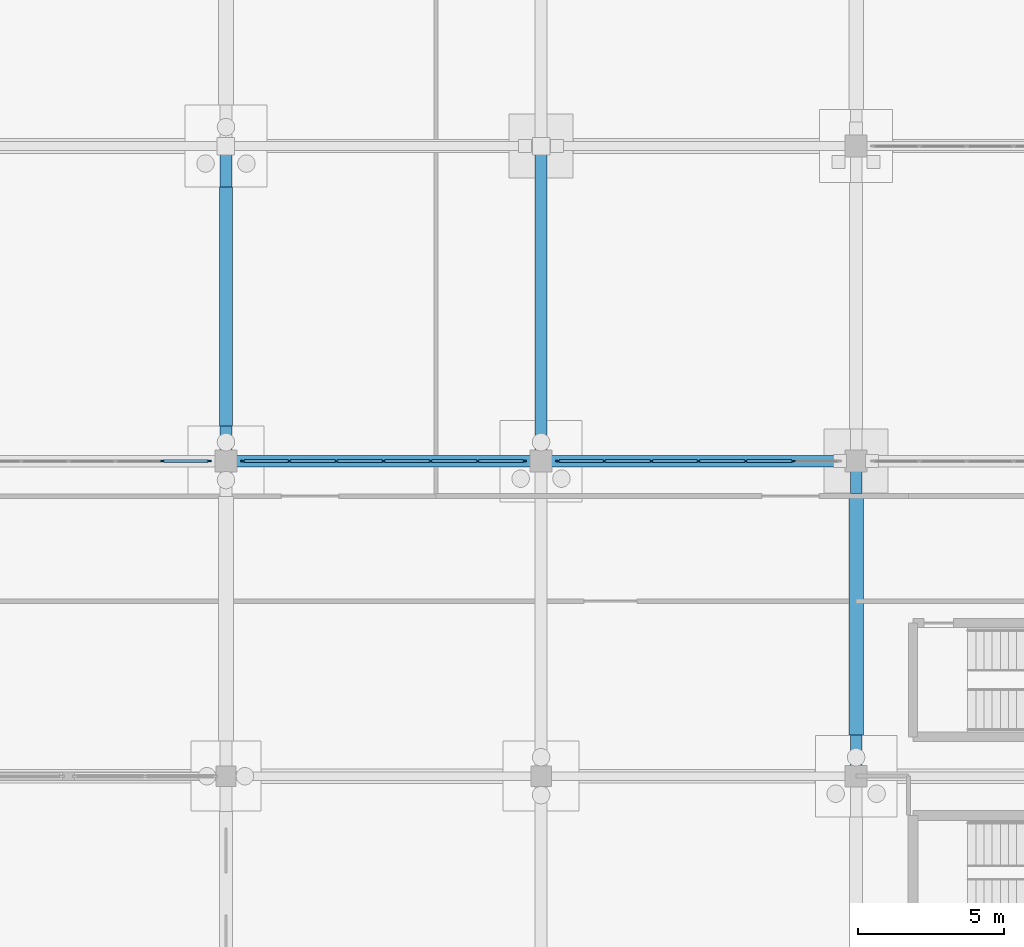
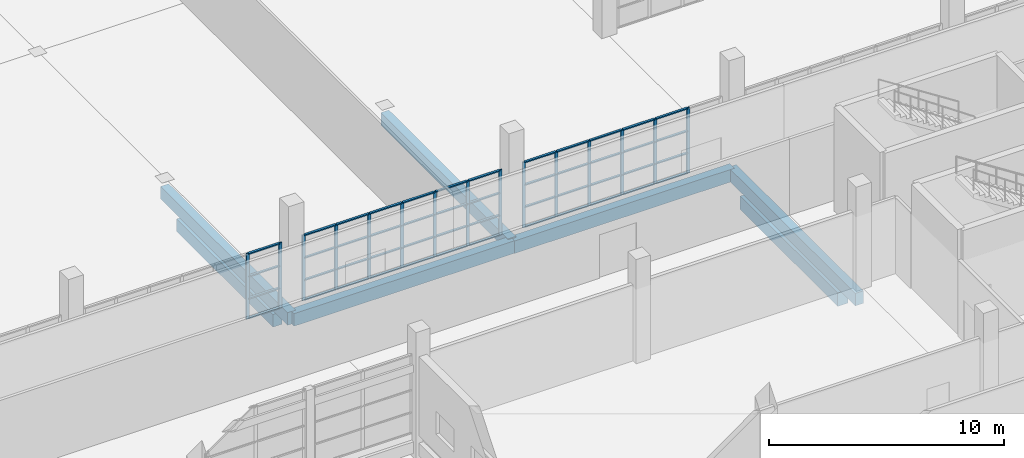
# One storey, part 63 of 138: 63 members, 7 beams, 3 elements without a shape of their own.
"""IFC4 building model written with IfcOpenShell, lengths in metres."""

from ifc_helpers import new_model, si_unit, direction, frame, origin, origin_2d, place, context, subcontext, project, spatial, rectangle, extrude, material, material_profile, profile_set, type_object, element, aggregate, save


model = new_model("IFC4")

# Units and contexts
model_context = context("Model", 3, precision=1e-05, world=origin(), true_north=direction((0.0, 1.0)))
body_context = subcontext(model_context, "Body", "Model", "MODEL_VIEW")
ifc_project = project(units=[si_unit("LENGTHUNIT", "METRE"), si_unit("AREAUNIT", "SQUARE_METRE"), si_unit("VOLUMEUNIT", "CUBIC_METRE"), si_unit("PLANEANGLEUNIT", "RADIAN"), si_unit("MASSUNIT", "GRAM", prefix="KILO")], contexts=[model_context])

# Site, building, storey
site_placement = place(None, origin())
site = spatial("IfcSite", under=ifc_project, at=site_placement, CompositionType="ELEMENT")
building_placement = place(site_placement, origin())
building = spatial("IfcBuilding", under=site, at=building_placement, Name="Zwinboog Wholesale Market", CompositionType="ELEMENT")
storey_placement = place(building_placement, origin())
storey = spatial("IfcBuildingStorey", under=building, at=storey_placement, Name="L00", CompositionType="ELEMENT", Elevation=0.0)

# Beams
ifc_material_1 = material(Name="Precast concrete C45/55", Category="concrete")
ifc_material_profile_1 = material_profile(ifc_material_1, rectangle(XDim=0.39990234375, YDim=0.64990234375, at=origin_2d()), Name="PC 400x650")
ifc_profile_set_1 = profile_set([ifc_material_profile_1], Name="Precast concrete C45/55")
beam_type_1 = type_object("IfcBeamType", Name="BT-05", PredefinedType="BEAM", material=ifc_profile_set_1)
beam_1_placement = place(storey_placement, frame((129.60009765625, 54.0, -0.705078125), z_axis=(1.0, 0.0, 0.0), x_axis=(0.0, 1.0, 0.0)))
element("IfcBeam", 1, at=beam_1_placement, inside=storey, type_object=beam_type_1, Name="BG-05 (BMG-L00-1296-0540-0079)", PredefinedType="BEAM", context=body_context, shape_type="SweptSolid", body=[
    extrude(rectangle(XDim=0.39990234375, YDim=0.64990234375, at=origin_2d()), origin(), (0.0, 0.0, 1.0), 10.7998046875),
])
for number, where, z_axis, x_axis, name in (
    (2, (140.39990234375, 54.0, -0.719970703125), (1.0, 0.0, 0.0), (0.0, 1.0, 0.0), "BG-05 (BMG-L00-1404-0540-0080)"),
    (3, (129.60009765625, 54.0, -0.705078125), (0.0, 1.0, 0.0), (-1.0, 0.0, 0.0), "BG-05 (BMG-L00-1296-0540-0334)"),
    (4, (140.39990234375, 54.0, -0.659912109375), (0.0, 1.0, 0.0), (-1.0, 0.0, 0.0), "BG-05 (BMG-L00-1404-0540-0346)"),
    (5, (151.199951171875, 43.199951171875, -0.719970703125), (0.0, 1.0, 0.0), (-1.0, 0.0, 0.0), "BG-05 (BMG-L00-1512-0432-0357)"),
):
    element("IfcBeam", number, at=place(storey_placement, frame(where, z_axis=z_axis, x_axis=x_axis)), inside=storey, type_object=beam_type_1, Name=name, PredefinedType="BEAM", context=body_context, shape_type="SweptSolid", body=[
        extrude(rectangle(XDim=0.39990234375, YDim=0.64990234375, at=origin_2d()), origin(), (0.0, 0.0, 1.0), 10.800048828125),
    ])
ifc_material_2 = material(Name="Concrete C35/45", Category="concrete")
ifc_material_profile_2 = material_profile(ifc_material_2, rectangle(XDim=0.5, YDim=0.699951171875, at=origin_2d()), Name="RC 500x700")
ifc_profile_set_2 = profile_set([ifc_material_profile_2], Name="Concrete C35/45")
beam_type_2 = type_object("IfcBeamType", Name="BT-12", PredefinedType="USERDEFINED", material=ifc_profile_set_2)
beam_2_placement = place(storey_placement, frame((151.199951171875, 44.60498046875, -1.550048828125), z_axis=(0.0, 1.0, 0.0), x_axis=(-1.0, 0.0, 0.0)))
element("IfcBeam", 6, at=beam_2_placement, inside=storey, type_object=beam_type_2, Name="GB-01 (BM-GB-0188)", ObjectType="GROUND_BEAM", PredefinedType="USERDEFINED", context=body_context, shape_type="SweptSolid", body=[
    extrude(rectangle(XDim=0.5, YDim=0.699951171875, at=origin_2d()), origin(), (0.0, 0.0, 1.0), 8.2900390625),
])
ifc_material_profile_3 = material_profile(ifc_material_2, rectangle(XDim=0.449951171875, YDim=0.64990234375, at=origin_2d()), Name="RC 450x650")
ifc_profile_set_3 = profile_set([ifc_material_profile_3], Name="Concrete C35/45")
beam_type_3 = type_object("IfcBeamType", Name="BT-13", PredefinedType="USERDEFINED", material=ifc_profile_set_3)
beam_3_placement = place(storey_placement, frame((129.60009765625, 55.205078125, -1.52490234375), z_axis=(0.0, 1.0, 0.0), x_axis=(-1.0, 0.0, 0.0)))
element("IfcBeam", 7, at=beam_3_placement, inside=storey, type_object=beam_type_3, Name="GB-02 (BM-GB-0177)", ObjectType="GROUND_BEAM", PredefinedType="USERDEFINED", context=body_context, shape_type="SweptSolid", body=[
    extrude(rectangle(XDim=0.449951171875, YDim=0.64990234375, at=origin_2d()), origin(), (0.0, 0.0, 1.0), 8.18994140625),
])

# Curtain wall, members
ifc_material_3 = material(Name="Aluminium thermally broken curtain wall", Category="aluminium")
curtain_wall_type = type_object("IfcCurtainWallType", Name="CWT-INT-STALL", PredefinedType="USERDEFINED", material=ifc_material_3)
curtain_wall_1_placement = place(storey_placement, origin())
curtain_wall_1 = element("IfcCurtainWall", 8, at=curtain_wall_1_placement, inside=storey, type_object=curtain_wall_type, Name="CW-07 (CW-STL-186)", ObjectType="STOREFRONT_GLAZING", PredefinedType="USERDEFINED")
ifc_material_4 = material(Name="Aluminium EN AW-6060", Category="aluminium")
ifc_material_profile_4 = material_profile(ifc_material_4, rectangle(XDim=0.06005859375, YDim=0.14990234375, at=origin_2d()), Name="AL 60x150")
ifc_profile_set_4 = profile_set([ifc_material_profile_4], Name="Aluminium EN AW-6060")
member_type_1 = type_object("IfcMemberType", Name="CWM-INT-60x120", PredefinedType="MULLION", material=ifc_profile_set_4)
member_1_placement = place(storey_placement, frame((127.433349609375, 54.0, 0.0), z_axis=(0.0, 0.0, 1.0), x_axis=(0.0, 1.0, 0.0)))
member_1 = element("IfcMember", 9, at=member_1_placement, type_object=member_type_1, Name="CW-07 mullion 6", PredefinedType="MULLION", context=body_context, shape_type="SweptSolid", body=[
    extrude(rectangle(XDim=0.06005859375, YDim=0.14990234375, at=origin_2d()), origin(), (0.0, 0.0, 1.0), 3.39990234375),
])
member_2_placement = place(storey_placement, frame((129.02001953125, 54.0, 0.0), z_axis=(0.0, 0.0, 1.0), x_axis=(0.0, 1.0, 0.0)))
member_2 = element("IfcMember", 10, at=member_2_placement, type_object=member_type_1, Name="CW-07 mullion 7", PredefinedType="MULLION", context=body_context, shape_type="SweptSolid", body=[
    extrude(rectangle(XDim=0.06005859375, YDim=0.14990234375, at=origin_2d()), origin(), (0.0, 0.0, 1.0), 3.39990234375),
])

curtain_wall_2_placement = place(storey_placement, origin())
curtain_wall_2 = element("IfcCurtainWall", 11, at=curtain_wall_2_placement, inside=storey, type_object=curtain_wall_type, Name="CW-07 (CW-STL-187)", ObjectType="STOREFRONT_GLAZING", PredefinedType="USERDEFINED")
member_3_placement = place(storey_placement, frame((130.179931640625, 54.0, 0.0), z_axis=(0.0, 0.0, 1.0), x_axis=(0.0, 1.0, 0.0)))
member_3 = element("IfcMember", 12, at=member_3_placement, type_object=member_type_1, Name="CW-07 mullion 1", PredefinedType="MULLION", context=body_context, shape_type="SweptSolid", body=[
    extrude(rectangle(XDim=0.06005859375, YDim=0.14990234375, at=origin_2d()), origin(), (0.0, 0.0, 1.0), 3.39990234375),
])
member_4_placement = place(storey_placement, frame((131.7666015625, 54.0, 0.0), z_axis=(0.0, 0.0, 1.0), x_axis=(0.0, 1.0, 0.0)))
member_4 = element("IfcMember", 13, at=member_4_placement, type_object=member_type_1, Name="CW-07 mullion 2", PredefinedType="MULLION", context=body_context, shape_type="SweptSolid", body=[
    extrude(rectangle(XDim=0.06005859375, YDim=0.14990234375, at=origin_2d()), origin(), (0.0, 0.0, 1.0), 3.39990234375),
])
member_5_placement = place(storey_placement, frame((133.38330078125, 54.0, 0.0), z_axis=(0.0, 0.0, 1.0), x_axis=(0.0, 1.0, 0.0)))
member_5 = element("IfcMember", 14, at=member_5_placement, type_object=member_type_1, Name="CW-07 mullion 3", PredefinedType="MULLION", context=body_context, shape_type="SweptSolid", body=[
    extrude(rectangle(XDim=0.06005859375, YDim=0.14990234375, at=origin_2d()), origin(), (0.0, 0.0, 1.0), 3.39990234375),
])
member_6_placement = place(storey_placement, frame((135.0, 54.0, 0.0), z_axis=(0.0, 0.0, 1.0), x_axis=(0.0, 1.0, 0.0)))
member_6 = element("IfcMember", 15, at=member_6_placement, type_object=member_type_1, Name="CW-07 mullion 4", PredefinedType="MULLION", context=body_context, shape_type="SweptSolid", body=[
    extrude(rectangle(XDim=0.06005859375, YDim=0.14990234375, at=origin_2d()), origin(), (0.0, 0.0, 1.0), 3.39990234375),
])
member_7_placement = place(storey_placement, frame((136.61669921875, 54.0, 0.0), z_axis=(0.0, 0.0, 1.0), x_axis=(0.0, 1.0, 0.0)))
member_7 = element("IfcMember", 16, at=member_7_placement, type_object=member_type_1, Name="CW-07 mullion 5", PredefinedType="MULLION", context=body_context, shape_type="SweptSolid", body=[
    extrude(rectangle(XDim=0.06005859375, YDim=0.14990234375, at=origin_2d()), origin(), (0.0, 0.0, 1.0), 3.39990234375),
])
member_8_placement = place(storey_placement, frame((138.2333984375, 54.0, 0.0), z_axis=(0.0, 0.0, 1.0), x_axis=(0.0, 1.0, 0.0)))
member_8 = element("IfcMember", 17, at=member_8_placement, type_object=member_type_1, Name="CW-07 mullion 6", PredefinedType="MULLION", context=body_context, shape_type="SweptSolid", body=[
    extrude(rectangle(XDim=0.06005859375, YDim=0.14990234375, at=origin_2d()), origin(), (0.0, 0.0, 1.0), 3.39990234375),
])
member_9_placement = place(storey_placement, frame((139.820068359375, 54.0, 0.0), z_axis=(0.0, 0.0, 1.0), x_axis=(0.0, 1.0, 0.0)))
member_9 = element("IfcMember", 18, at=member_9_placement, type_object=member_type_1, Name="CW-07 mullion 7", PredefinedType="MULLION", context=body_context, shape_type="SweptSolid", body=[
    extrude(rectangle(XDim=0.06005859375, YDim=0.14990234375, at=origin_2d()), origin(), (0.0, 0.0, 1.0), 3.39990234375),
])

curtain_wall_3_placement = place(storey_placement, origin())
curtain_wall_3 = element("IfcCurtainWall", 19, at=curtain_wall_3_placement, inside=storey, type_object=curtain_wall_type, Name="CW-07 (CW-STL-188)", ObjectType="STOREFRONT_GLAZING", PredefinedType="USERDEFINED")
member_10_placement = place(storey_placement, frame((140.97998046875, 54.0, 0.0), z_axis=(0.0, 0.0, 1.0), x_axis=(0.0, 1.0, 0.0)))
member_10 = element("IfcMember", 20, at=member_10_placement, type_object=member_type_1, Name="CW-07 mullion 1", PredefinedType="MULLION", context=body_context, shape_type="SweptSolid", body=[
    extrude(rectangle(XDim=0.06005859375, YDim=0.14990234375, at=origin_2d()), origin(), (0.0, 0.0, 1.0), 3.39990234375),
])
member_11_placement = place(storey_placement, frame((142.566650390625, 54.0, 0.0), z_axis=(0.0, 0.0, 1.0), x_axis=(0.0, 1.0, 0.0)))
member_11 = element("IfcMember", 21, at=member_11_placement, type_object=member_type_1, Name="CW-07 mullion 2", PredefinedType="MULLION", context=body_context, shape_type="SweptSolid", body=[
    extrude(rectangle(XDim=0.06005859375, YDim=0.14990234375, at=origin_2d()), origin(), (0.0, 0.0, 1.0), 3.39990234375),
])
member_12_placement = place(storey_placement, frame((144.183349609375, 54.0, 0.0), z_axis=(0.0, 0.0, 1.0), x_axis=(0.0, 1.0, 0.0)))
member_12 = element("IfcMember", 22, at=member_12_placement, type_object=member_type_1, Name="CW-07 mullion 3", PredefinedType="MULLION", context=body_context, shape_type="SweptSolid", body=[
    extrude(rectangle(XDim=0.06005859375, YDim=0.14990234375, at=origin_2d()), origin(), (0.0, 0.0, 1.0), 3.39990234375),
])
member_13_placement = place(storey_placement, frame((145.800048828125, 54.0, 0.0), z_axis=(0.0, 0.0, 1.0), x_axis=(0.0, 1.0, 0.0)))
member_13 = element("IfcMember", 23, at=member_13_placement, type_object=member_type_1, Name="CW-07 mullion 4", PredefinedType="MULLION", context=body_context, shape_type="SweptSolid", body=[
    extrude(rectangle(XDim=0.06005859375, YDim=0.14990234375, at=origin_2d()), origin(), (0.0, 0.0, 1.0), 3.39990234375),
])
member_14_placement = place(storey_placement, frame((147.416748046875, 54.0, 0.0), z_axis=(0.0, 0.0, 1.0), x_axis=(0.0, 1.0, 0.0)))
member_14 = element("IfcMember", 24, at=member_14_placement, type_object=member_type_1, Name="CW-07 mullion 5", PredefinedType="MULLION", context=body_context, shape_type="SweptSolid", body=[
    extrude(rectangle(XDim=0.06005859375, YDim=0.14990234375, at=origin_2d()), origin(), (0.0, 0.0, 1.0), 3.39990234375),
])
member_15_placement = place(storey_placement, frame((149.033447265625, 54.0, 0.0), z_axis=(0.0, 0.0, 1.0), x_axis=(0.0, 1.0, 0.0)))
member_15 = element("IfcMember", 25, at=member_15_placement, type_object=member_type_1, Name="CW-07 mullion 6", PredefinedType="MULLION", context=body_context, shape_type="SweptSolid", body=[
    extrude(rectangle(XDim=0.06005859375, YDim=0.14990234375, at=origin_2d()), origin(), (0.0, 0.0, 1.0), 3.39990234375),
])

# Member
ifc_material_profile_5 = material_profile(ifc_material_4, rectangle(XDim=0.110107421875, YDim=0.06005859375, at=origin_2d()), Name="AL 60x110")
ifc_profile_set_5 = profile_set([ifc_material_profile_5], Name="Aluminium EN AW-6060")
member_type_2 = type_object("IfcMemberType", Name="CWT-INT-60x100", PredefinedType="USERDEFINED", material=ifc_profile_set_5)
member_16_placement = place(storey_placement, frame((127.46337890625, 54.0, 0.030029296875), z_axis=(1.0, 0.0, 0.0), x_axis=(0.0, 1.0, 0.0)))
member_16 = element("IfcMember", 26, at=member_16_placement, type_object=member_type_2, Name="CW-07 transom 6.1", ObjectType="TRANSOM", PredefinedType="USERDEFINED", context=body_context, shape_type="SweptSolid", body=[
    extrude(rectangle(XDim=0.110107421875, YDim=0.06005859375, at=origin_2d()), origin(), (0.0, 0.0, 1.0), 1.526611328125),
])

member_17_placement = place(storey_placement, frame((127.46337890625, 54.0, 1.050048828125), z_axis=(1.0, 0.0, 0.0), x_axis=(0.0, 1.0, 0.0)))
member_17 = element("IfcMember", 27, at=member_17_placement, type_object=member_type_2, Name="CW-07 transom 6.2", ObjectType="TRANSOM", PredefinedType="USERDEFINED", context=body_context, shape_type="SweptSolid", body=[
    extrude(rectangle(XDim=0.110107421875, YDim=0.06005859375, at=origin_2d()), origin(), (0.0, 0.0, 1.0), 1.526611328125),
])

member_18_placement = place(storey_placement, frame((127.46337890625, 54.0, 2.199951171875), z_axis=(1.0, 0.0, 0.0), x_axis=(0.0, 1.0, 0.0)))
member_18 = element("IfcMember", 28, at=member_18_placement, type_object=member_type_2, Name="CW-07 transom 6.3", ObjectType="TRANSOM", PredefinedType="USERDEFINED", context=body_context, shape_type="SweptSolid", body=[
    extrude(rectangle(XDim=0.110107421875, YDim=0.06005859375, at=origin_2d()), origin(), (0.0, 0.0, 1.0), 1.526611328125),
])

member_19_placement = place(storey_placement, frame((127.46337890625, 54.0, 3.3701171875), z_axis=(1.0, 0.0, 0.0), x_axis=(0.0, 1.0, 0.0)))
member_19 = element("IfcMember", 29, at=member_19_placement, type_object=member_type_2, Name="CW-07 transom 6.4", ObjectType="TRANSOM", PredefinedType="USERDEFINED", context=body_context, shape_type="SweptSolid", body=[
    extrude(rectangle(XDim=0.110107421875, YDim=0.06005859375, at=origin_2d()), origin(), (0.0, 0.0, 1.0), 1.526611328125),
])

aggregate(curtain_wall_1, [member_1, member_2, member_16, member_17, member_18, member_19])

member_20_placement = place(storey_placement, frame((130.2099609375, 54.0, 0.030029296875), z_axis=(1.0, 0.0, 0.0), x_axis=(0.0, 1.0, 0.0)))
member_20 = element("IfcMember", 30, at=member_20_placement, type_object=member_type_2, Name="CW-07 transom 1.1", ObjectType="TRANSOM", PredefinedType="USERDEFINED", context=body_context, shape_type="SweptSolid", body=[
    extrude(rectangle(XDim=0.110107421875, YDim=0.06005859375, at=origin_2d()), origin(), (0.0, 0.0, 1.0), 1.526611328125),
])

member_21_placement = place(storey_placement, frame((130.2099609375, 54.0, 1.050048828125), z_axis=(1.0, 0.0, 0.0), x_axis=(0.0, 1.0, 0.0)))
member_21 = element("IfcMember", 31, at=member_21_placement, type_object=member_type_2, Name="CW-07 transom 1.2", ObjectType="TRANSOM", PredefinedType="USERDEFINED", context=body_context, shape_type="SweptSolid", body=[
    extrude(rectangle(XDim=0.110107421875, YDim=0.06005859375, at=origin_2d()), origin(), (0.0, 0.0, 1.0), 1.526611328125),
])

member_22_placement = place(storey_placement, frame((130.2099609375, 54.0, 2.199951171875), z_axis=(1.0, 0.0, 0.0), x_axis=(0.0, 1.0, 0.0)))
member_22 = element("IfcMember", 32, at=member_22_placement, type_object=member_type_2, Name="CW-07 transom 1.3", ObjectType="TRANSOM", PredefinedType="USERDEFINED", context=body_context, shape_type="SweptSolid", body=[
    extrude(rectangle(XDim=0.110107421875, YDim=0.06005859375, at=origin_2d()), origin(), (0.0, 0.0, 1.0), 1.526611328125),
])

member_23_placement = place(storey_placement, frame((130.2099609375, 54.0, 3.3701171875), z_axis=(1.0, 0.0, 0.0), x_axis=(0.0, 1.0, 0.0)))
member_23 = element("IfcMember", 33, at=member_23_placement, type_object=member_type_2, Name="CW-07 transom 1.4", ObjectType="TRANSOM", PredefinedType="USERDEFINED", context=body_context, shape_type="SweptSolid", body=[
    extrude(rectangle(XDim=0.110107421875, YDim=0.06005859375, at=origin_2d()), origin(), (0.0, 0.0, 1.0), 1.526611328125),
])

member_24_placement = place(storey_placement, frame((131.796630859375, 54.0, 0.030029296875), z_axis=(1.0, 0.0, 0.0), x_axis=(0.0, 1.0, 0.0)))
member_24 = element("IfcMember", 34, at=member_24_placement, type_object=member_type_2, Name="CW-07 transom 2.1", ObjectType="TRANSOM", PredefinedType="USERDEFINED", context=body_context, shape_type="SweptSolid", body=[
    extrude(rectangle(XDim=0.110107421875, YDim=0.06005859375, at=origin_2d()), origin(), (0.0, 0.0, 1.0), 1.556640625),
])

member_25_placement = place(storey_placement, frame((131.796630859375, 54.0, 1.050048828125), z_axis=(1.0, 0.0, 0.0), x_axis=(0.0, 1.0, 0.0)))
member_25 = element("IfcMember", 35, at=member_25_placement, type_object=member_type_2, Name="CW-07 transom 2.2", ObjectType="TRANSOM", PredefinedType="USERDEFINED", context=body_context, shape_type="SweptSolid", body=[
    extrude(rectangle(XDim=0.110107421875, YDim=0.06005859375, at=origin_2d()), origin(), (0.0, 0.0, 1.0), 1.556640625),
])

member_26_placement = place(storey_placement, frame((131.796630859375, 54.0, 2.199951171875), z_axis=(1.0, 0.0, 0.0), x_axis=(0.0, 1.0, 0.0)))
member_26 = element("IfcMember", 36, at=member_26_placement, type_object=member_type_2, Name="CW-07 transom 2.3", ObjectType="TRANSOM", PredefinedType="USERDEFINED", context=body_context, shape_type="SweptSolid", body=[
    extrude(rectangle(XDim=0.110107421875, YDim=0.06005859375, at=origin_2d()), origin(), (0.0, 0.0, 1.0), 1.556640625),
])

member_27_placement = place(storey_placement, frame((131.796630859375, 54.0, 3.3701171875), z_axis=(1.0, 0.0, 0.0), x_axis=(0.0, 1.0, 0.0)))
member_27 = element("IfcMember", 37, at=member_27_placement, type_object=member_type_2, Name="CW-07 transom 2.4", ObjectType="TRANSOM", PredefinedType="USERDEFINED", context=body_context, shape_type="SweptSolid", body=[
    extrude(rectangle(XDim=0.110107421875, YDim=0.06005859375, at=origin_2d()), origin(), (0.0, 0.0, 1.0), 1.556640625),
])

member_28_placement = place(storey_placement, frame((133.413330078125, 54.0, 0.030029296875), z_axis=(1.0, 0.0, 0.0), x_axis=(0.0, 1.0, 0.0)))
member_28 = element("IfcMember", 38, at=member_28_placement, type_object=member_type_2, Name="CW-07 transom 3.1", ObjectType="TRANSOM", PredefinedType="USERDEFINED", context=body_context, shape_type="SweptSolid", body=[
    extrude(rectangle(XDim=0.110107421875, YDim=0.06005859375, at=origin_2d()), origin(), (0.0, 0.0, 1.0), 1.556640625),
])

member_29_placement = place(storey_placement, frame((133.413330078125, 54.0, 1.050048828125), z_axis=(1.0, 0.0, 0.0), x_axis=(0.0, 1.0, 0.0)))
member_29 = element("IfcMember", 39, at=member_29_placement, type_object=member_type_2, Name="CW-07 transom 3.2", ObjectType="TRANSOM", PredefinedType="USERDEFINED", context=body_context, shape_type="SweptSolid", body=[
    extrude(rectangle(XDim=0.110107421875, YDim=0.06005859375, at=origin_2d()), origin(), (0.0, 0.0, 1.0), 1.556640625),
])

member_30_placement = place(storey_placement, frame((133.413330078125, 54.0, 2.199951171875), z_axis=(1.0, 0.0, 0.0), x_axis=(0.0, 1.0, 0.0)))
member_30 = element("IfcMember", 40, at=member_30_placement, type_object=member_type_2, Name="CW-07 transom 3.3", ObjectType="TRANSOM", PredefinedType="USERDEFINED", context=body_context, shape_type="SweptSolid", body=[
    extrude(rectangle(XDim=0.110107421875, YDim=0.06005859375, at=origin_2d()), origin(), (0.0, 0.0, 1.0), 1.556640625),
])

member_31_placement = place(storey_placement, frame((133.413330078125, 54.0, 3.3701171875), z_axis=(1.0, 0.0, 0.0), x_axis=(0.0, 1.0, 0.0)))
member_31 = element("IfcMember", 41, at=member_31_placement, type_object=member_type_2, Name="CW-07 transom 3.4", ObjectType="TRANSOM", PredefinedType="USERDEFINED", context=body_context, shape_type="SweptSolid", body=[
    extrude(rectangle(XDim=0.110107421875, YDim=0.06005859375, at=origin_2d()), origin(), (0.0, 0.0, 1.0), 1.556640625),
])

member_32_placement = place(storey_placement, frame((135.030029296875, 54.0, 0.030029296875), z_axis=(1.0, 0.0, 0.0), x_axis=(0.0, 1.0, 0.0)))
member_32 = element("IfcMember", 42, at=member_32_placement, type_object=member_type_2, Name="CW-07 transom 4.1", ObjectType="TRANSOM", PredefinedType="USERDEFINED", context=body_context, shape_type="SweptSolid", body=[
    extrude(rectangle(XDim=0.110107421875, YDim=0.06005859375, at=origin_2d()), origin(), (0.0, 0.0, 1.0), 1.556640625),
])

member_33_placement = place(storey_placement, frame((135.030029296875, 54.0, 1.050048828125), z_axis=(1.0, 0.0, 0.0), x_axis=(0.0, 1.0, 0.0)))
member_33 = element("IfcMember", 43, at=member_33_placement, type_object=member_type_2, Name="CW-07 transom 4.2", ObjectType="TRANSOM", PredefinedType="USERDEFINED", context=body_context, shape_type="SweptSolid", body=[
    extrude(rectangle(XDim=0.110107421875, YDim=0.06005859375, at=origin_2d()), origin(), (0.0, 0.0, 1.0), 1.556640625),
])

member_34_placement = place(storey_placement, frame((135.030029296875, 54.0, 2.199951171875), z_axis=(1.0, 0.0, 0.0), x_axis=(0.0, 1.0, 0.0)))
member_34 = element("IfcMember", 44, at=member_34_placement, type_object=member_type_2, Name="CW-07 transom 4.3", ObjectType="TRANSOM", PredefinedType="USERDEFINED", context=body_context, shape_type="SweptSolid", body=[
    extrude(rectangle(XDim=0.110107421875, YDim=0.06005859375, at=origin_2d()), origin(), (0.0, 0.0, 1.0), 1.556640625),
])

member_35_placement = place(storey_placement, frame((135.030029296875, 54.0, 3.3701171875), z_axis=(1.0, 0.0, 0.0), x_axis=(0.0, 1.0, 0.0)))
member_35 = element("IfcMember", 45, at=member_35_placement, type_object=member_type_2, Name="CW-07 transom 4.4", ObjectType="TRANSOM", PredefinedType="USERDEFINED", context=body_context, shape_type="SweptSolid", body=[
    extrude(rectangle(XDim=0.110107421875, YDim=0.06005859375, at=origin_2d()), origin(), (0.0, 0.0, 1.0), 1.556640625),
])

member_36_placement = place(storey_placement, frame((136.646728515625, 54.0, 0.030029296875), z_axis=(1.0, 0.0, 0.0), x_axis=(0.0, 1.0, 0.0)))
member_36 = element("IfcMember", 46, at=member_36_placement, type_object=member_type_2, Name="CW-07 transom 5.1", ObjectType="TRANSOM", PredefinedType="USERDEFINED", context=body_context, shape_type="SweptSolid", body=[
    extrude(rectangle(XDim=0.110107421875, YDim=0.06005859375, at=origin_2d()), origin(), (0.0, 0.0, 1.0), 1.556640625),
])

member_37_placement = place(storey_placement, frame((136.646728515625, 54.0, 1.050048828125), z_axis=(1.0, 0.0, 0.0), x_axis=(0.0, 1.0, 0.0)))
member_37 = element("IfcMember", 47, at=member_37_placement, type_object=member_type_2, Name="CW-07 transom 5.2", ObjectType="TRANSOM", PredefinedType="USERDEFINED", context=body_context, shape_type="SweptSolid", body=[
    extrude(rectangle(XDim=0.110107421875, YDim=0.06005859375, at=origin_2d()), origin(), (0.0, 0.0, 1.0), 1.556640625),
])

member_38_placement = place(storey_placement, frame((136.646728515625, 54.0, 2.199951171875), z_axis=(1.0, 0.0, 0.0), x_axis=(0.0, 1.0, 0.0)))
member_38 = element("IfcMember", 48, at=member_38_placement, type_object=member_type_2, Name="CW-07 transom 5.3", ObjectType="TRANSOM", PredefinedType="USERDEFINED", context=body_context, shape_type="SweptSolid", body=[
    extrude(rectangle(XDim=0.110107421875, YDim=0.06005859375, at=origin_2d()), origin(), (0.0, 0.0, 1.0), 1.556640625),
])

member_39_placement = place(storey_placement, frame((136.646728515625, 54.0, 3.3701171875), z_axis=(1.0, 0.0, 0.0), x_axis=(0.0, 1.0, 0.0)))
member_39 = element("IfcMember", 49, at=member_39_placement, type_object=member_type_2, Name="CW-07 transom 5.4", ObjectType="TRANSOM", PredefinedType="USERDEFINED", context=body_context, shape_type="SweptSolid", body=[
    extrude(rectangle(XDim=0.110107421875, YDim=0.06005859375, at=origin_2d()), origin(), (0.0, 0.0, 1.0), 1.556640625),
])

member_40_placement = place(storey_placement, frame((138.263427734375, 54.0, 0.030029296875), z_axis=(1.0, 0.0, 0.0), x_axis=(0.0, 1.0, 0.0)))
member_40 = element("IfcMember", 50, at=member_40_placement, type_object=member_type_2, Name="CW-07 transom 6.1", ObjectType="TRANSOM", PredefinedType="USERDEFINED", context=body_context, shape_type="SweptSolid", body=[
    extrude(rectangle(XDim=0.110107421875, YDim=0.06005859375, at=origin_2d()), origin(), (0.0, 0.0, 1.0), 1.526611328125),
])

member_41_placement = place(storey_placement, frame((138.263427734375, 54.0, 1.050048828125), z_axis=(1.0, 0.0, 0.0), x_axis=(0.0, 1.0, 0.0)))
member_41 = element("IfcMember", 51, at=member_41_placement, type_object=member_type_2, Name="CW-07 transom 6.2", ObjectType="TRANSOM", PredefinedType="USERDEFINED", context=body_context, shape_type="SweptSolid", body=[
    extrude(rectangle(XDim=0.110107421875, YDim=0.06005859375, at=origin_2d()), origin(), (0.0, 0.0, 1.0), 1.526611328125),
])

member_42_placement = place(storey_placement, frame((138.263427734375, 54.0, 2.199951171875), z_axis=(1.0, 0.0, 0.0), x_axis=(0.0, 1.0, 0.0)))
member_42 = element("IfcMember", 52, at=member_42_placement, type_object=member_type_2, Name="CW-07 transom 6.3", ObjectType="TRANSOM", PredefinedType="USERDEFINED", context=body_context, shape_type="SweptSolid", body=[
    extrude(rectangle(XDim=0.110107421875, YDim=0.06005859375, at=origin_2d()), origin(), (0.0, 0.0, 1.0), 1.526611328125),
])

member_43_placement = place(storey_placement, frame((138.263427734375, 54.0, 3.3701171875), z_axis=(1.0, 0.0, 0.0), x_axis=(0.0, 1.0, 0.0)))
member_43 = element("IfcMember", 53, at=member_43_placement, type_object=member_type_2, Name="CW-07 transom 6.4", ObjectType="TRANSOM", PredefinedType="USERDEFINED", context=body_context, shape_type="SweptSolid", body=[
    extrude(rectangle(XDim=0.110107421875, YDim=0.06005859375, at=origin_2d()), origin(), (0.0, 0.0, 1.0), 1.526611328125),
])

aggregate(curtain_wall_2, [member_3, member_4, member_5, member_6, member_7, member_8, member_9, member_20, member_21, member_22, member_23, member_24, member_25, member_26, member_27, member_28, member_29, member_30, member_31, member_32, member_33, member_34, member_35, member_36, member_37, member_38, member_39, member_40, member_41, member_42, member_43])

member_44_placement = place(storey_placement, frame((141.010009765625, 54.0, 0.030029296875), z_axis=(1.0, 0.0, 0.0), x_axis=(0.0, 1.0, 0.0)))
member_44 = element("IfcMember", 54, at=member_44_placement, type_object=member_type_2, Name="CW-07 transom 1.1", ObjectType="TRANSOM", PredefinedType="USERDEFINED", context=body_context, shape_type="SweptSolid", body=[
    extrude(rectangle(XDim=0.110107421875, YDim=0.06005859375, at=origin_2d()), origin(), (0.0, 0.0, 1.0), 1.526611328125),
])

member_45_placement = place(storey_placement, frame((141.010009765625, 54.0, 1.050048828125), z_axis=(1.0, 0.0, 0.0), x_axis=(0.0, 1.0, 0.0)))
member_45 = element("IfcMember", 55, at=member_45_placement, type_object=member_type_2, Name="CW-07 transom 1.2", ObjectType="TRANSOM", PredefinedType="USERDEFINED", context=body_context, shape_type="SweptSolid", body=[
    extrude(rectangle(XDim=0.110107421875, YDim=0.06005859375, at=origin_2d()), origin(), (0.0, 0.0, 1.0), 1.526611328125),
])

member_46_placement = place(storey_placement, frame((141.010009765625, 54.0, 2.199951171875), z_axis=(1.0, 0.0, 0.0), x_axis=(0.0, 1.0, 0.0)))
member_46 = element("IfcMember", 56, at=member_46_placement, type_object=member_type_2, Name="CW-07 transom 1.3", ObjectType="TRANSOM", PredefinedType="USERDEFINED", context=body_context, shape_type="SweptSolid", body=[
    extrude(rectangle(XDim=0.110107421875, YDim=0.06005859375, at=origin_2d()), origin(), (0.0, 0.0, 1.0), 1.526611328125),
])

member_47_placement = place(storey_placement, frame((141.010009765625, 54.0, 3.3701171875), z_axis=(1.0, 0.0, 0.0), x_axis=(0.0, 1.0, 0.0)))
member_47 = element("IfcMember", 57, at=member_47_placement, type_object=member_type_2, Name="CW-07 transom 1.4", ObjectType="TRANSOM", PredefinedType="USERDEFINED", context=body_context, shape_type="SweptSolid", body=[
    extrude(rectangle(XDim=0.110107421875, YDim=0.06005859375, at=origin_2d()), origin(), (0.0, 0.0, 1.0), 1.526611328125),
])

member_48_placement = place(storey_placement, frame((142.5966796875, 54.0, 0.030029296875), z_axis=(1.0, 0.0, 0.0), x_axis=(0.0, 1.0, 0.0)))
member_48 = element("IfcMember", 58, at=member_48_placement, type_object=member_type_2, Name="CW-07 transom 2.1", ObjectType="TRANSOM", PredefinedType="USERDEFINED", context=body_context, shape_type="SweptSolid", body=[
    extrude(rectangle(XDim=0.110107421875, YDim=0.06005859375, at=origin_2d()), origin(), (0.0, 0.0, 1.0), 1.556640625),
])

member_49_placement = place(storey_placement, frame((142.5966796875, 54.0, 1.050048828125), z_axis=(1.0, 0.0, 0.0), x_axis=(0.0, 1.0, 0.0)))
member_49 = element("IfcMember", 59, at=member_49_placement, type_object=member_type_2, Name="CW-07 transom 2.2", ObjectType="TRANSOM", PredefinedType="USERDEFINED", context=body_context, shape_type="SweptSolid", body=[
    extrude(rectangle(XDim=0.110107421875, YDim=0.06005859375, at=origin_2d()), origin(), (0.0, 0.0, 1.0), 1.556640625),
])

member_50_placement = place(storey_placement, frame((142.5966796875, 54.0, 2.199951171875), z_axis=(1.0, 0.0, 0.0), x_axis=(0.0, 1.0, 0.0)))
member_50 = element("IfcMember", 60, at=member_50_placement, type_object=member_type_2, Name="CW-07 transom 2.3", ObjectType="TRANSOM", PredefinedType="USERDEFINED", context=body_context, shape_type="SweptSolid", body=[
    extrude(rectangle(XDim=0.110107421875, YDim=0.06005859375, at=origin_2d()), origin(), (0.0, 0.0, 1.0), 1.556640625),
])

member_51_placement = place(storey_placement, frame((142.5966796875, 54.0, 3.3701171875), z_axis=(1.0, 0.0, 0.0), x_axis=(0.0, 1.0, 0.0)))
member_51 = element("IfcMember", 61, at=member_51_placement, type_object=member_type_2, Name="CW-07 transom 2.4", ObjectType="TRANSOM", PredefinedType="USERDEFINED", context=body_context, shape_type="SweptSolid", body=[
    extrude(rectangle(XDim=0.110107421875, YDim=0.06005859375, at=origin_2d()), origin(), (0.0, 0.0, 1.0), 1.556640625),
])

member_52_placement = place(storey_placement, frame((144.21337890625, 54.0, 0.030029296875), z_axis=(1.0, 0.0, 0.0), x_axis=(0.0, 1.0, 0.0)))
member_52 = element("IfcMember", 62, at=member_52_placement, type_object=member_type_2, Name="CW-07 transom 3.1", ObjectType="TRANSOM", PredefinedType="USERDEFINED", context=body_context, shape_type="SweptSolid", body=[
    extrude(rectangle(XDim=0.110107421875, YDim=0.06005859375, at=origin_2d()), origin(), (0.0, 0.0, 1.0), 1.556640625),
])

member_53_placement = place(storey_placement, frame((144.21337890625, 54.0, 1.050048828125), z_axis=(1.0, 0.0, 0.0), x_axis=(0.0, 1.0, 0.0)))
member_53 = element("IfcMember", 63, at=member_53_placement, type_object=member_type_2, Name="CW-07 transom 3.2", ObjectType="TRANSOM", PredefinedType="USERDEFINED", context=body_context, shape_type="SweptSolid", body=[
    extrude(rectangle(XDim=0.110107421875, YDim=0.06005859375, at=origin_2d()), origin(), (0.0, 0.0, 1.0), 1.556640625),
])

member_54_placement = place(storey_placement, frame((144.21337890625, 54.0, 2.199951171875), z_axis=(1.0, 0.0, 0.0), x_axis=(0.0, 1.0, 0.0)))
member_54 = element("IfcMember", 64, at=member_54_placement, type_object=member_type_2, Name="CW-07 transom 3.3", ObjectType="TRANSOM", PredefinedType="USERDEFINED", context=body_context, shape_type="SweptSolid", body=[
    extrude(rectangle(XDim=0.110107421875, YDim=0.06005859375, at=origin_2d()), origin(), (0.0, 0.0, 1.0), 1.556640625),
])

member_55_placement = place(storey_placement, frame((144.21337890625, 54.0, 3.3701171875), z_axis=(1.0, 0.0, 0.0), x_axis=(0.0, 1.0, 0.0)))
member_55 = element("IfcMember", 65, at=member_55_placement, type_object=member_type_2, Name="CW-07 transom 3.4", ObjectType="TRANSOM", PredefinedType="USERDEFINED", context=body_context, shape_type="SweptSolid", body=[
    extrude(rectangle(XDim=0.110107421875, YDim=0.06005859375, at=origin_2d()), origin(), (0.0, 0.0, 1.0), 1.556640625),
])

member_56_placement = place(storey_placement, frame((145.830078125, 54.0, 0.030029296875), z_axis=(1.0, 0.0, 0.0), x_axis=(0.0, 1.0, 0.0)))
member_56 = element("IfcMember", 66, at=member_56_placement, type_object=member_type_2, Name="CW-07 transom 4.1", ObjectType="TRANSOM", PredefinedType="USERDEFINED", context=body_context, shape_type="SweptSolid", body=[
    extrude(rectangle(XDim=0.110107421875, YDim=0.06005859375, at=origin_2d()), origin(), (0.0, 0.0, 1.0), 1.556640625),
])

member_57_placement = place(storey_placement, frame((145.830078125, 54.0, 1.050048828125), z_axis=(1.0, 0.0, 0.0), x_axis=(0.0, 1.0, 0.0)))
member_57 = element("IfcMember", 67, at=member_57_placement, type_object=member_type_2, Name="CW-07 transom 4.2", ObjectType="TRANSOM", PredefinedType="USERDEFINED", context=body_context, shape_type="SweptSolid", body=[
    extrude(rectangle(XDim=0.110107421875, YDim=0.06005859375, at=origin_2d()), origin(), (0.0, 0.0, 1.0), 1.556640625),
])

member_58_placement = place(storey_placement, frame((145.830078125, 54.0, 2.199951171875), z_axis=(1.0, 0.0, 0.0), x_axis=(0.0, 1.0, 0.0)))
member_58 = element("IfcMember", 68, at=member_58_placement, type_object=member_type_2, Name="CW-07 transom 4.3", ObjectType="TRANSOM", PredefinedType="USERDEFINED", context=body_context, shape_type="SweptSolid", body=[
    extrude(rectangle(XDim=0.110107421875, YDim=0.06005859375, at=origin_2d()), origin(), (0.0, 0.0, 1.0), 1.556640625),
])

member_59_placement = place(storey_placement, frame((145.830078125, 54.0, 3.3701171875), z_axis=(1.0, 0.0, 0.0), x_axis=(0.0, 1.0, 0.0)))
member_59 = element("IfcMember", 69, at=member_59_placement, type_object=member_type_2, Name="CW-07 transom 4.4", ObjectType="TRANSOM", PredefinedType="USERDEFINED", context=body_context, shape_type="SweptSolid", body=[
    extrude(rectangle(XDim=0.110107421875, YDim=0.06005859375, at=origin_2d()), origin(), (0.0, 0.0, 1.0), 1.556640625),
])

member_60_placement = place(storey_placement, frame((147.44677734375, 54.0, 0.030029296875), z_axis=(1.0, 0.0, 0.0), x_axis=(0.0, 1.0, 0.0)))
member_60 = element("IfcMember", 70, at=member_60_placement, type_object=member_type_2, Name="CW-07 transom 5.1", ObjectType="TRANSOM", PredefinedType="USERDEFINED", context=body_context, shape_type="SweptSolid", body=[
    extrude(rectangle(XDim=0.110107421875, YDim=0.06005859375, at=origin_2d()), origin(), (0.0, 0.0, 1.0), 1.556640625),
])

member_61_placement = place(storey_placement, frame((147.44677734375, 54.0, 1.050048828125), z_axis=(1.0, 0.0, 0.0), x_axis=(0.0, 1.0, 0.0)))
member_61 = element("IfcMember", 71, at=member_61_placement, type_object=member_type_2, Name="CW-07 transom 5.2", ObjectType="TRANSOM", PredefinedType="USERDEFINED", context=body_context, shape_type="SweptSolid", body=[
    extrude(rectangle(XDim=0.110107421875, YDim=0.06005859375, at=origin_2d()), origin(), (0.0, 0.0, 1.0), 1.556640625),
])

member_62_placement = place(storey_placement, frame((147.44677734375, 54.0, 2.199951171875), z_axis=(1.0, 0.0, 0.0), x_axis=(0.0, 1.0, 0.0)))
member_62 = element("IfcMember", 72, at=member_62_placement, type_object=member_type_2, Name="CW-07 transom 5.3", ObjectType="TRANSOM", PredefinedType="USERDEFINED", context=body_context, shape_type="SweptSolid", body=[
    extrude(rectangle(XDim=0.110107421875, YDim=0.06005859375, at=origin_2d()), origin(), (0.0, 0.0, 1.0), 1.556640625),
])

member_63_placement = place(storey_placement, frame((147.44677734375, 54.0, 3.3701171875), z_axis=(1.0, 0.0, 0.0), x_axis=(0.0, 1.0, 0.0)))
member_63 = element("IfcMember", 73, at=member_63_placement, type_object=member_type_2, Name="CW-07 transom 5.4", ObjectType="TRANSOM", PredefinedType="USERDEFINED", context=body_context, shape_type="SweptSolid", body=[
    extrude(rectangle(XDim=0.110107421875, YDim=0.06005859375, at=origin_2d()), origin(), (0.0, 0.0, 1.0), 1.556640625),
])

aggregate(curtain_wall_3, [member_10, member_11, member_12, member_13, member_14, member_15, member_44, member_45, member_46, member_47, member_48, member_49, member_50, member_51, member_52, member_53, member_54, member_55, member_56, member_57, member_58, member_59, member_60, member_61, member_62, member_63])

save(model, "model.ifc")
